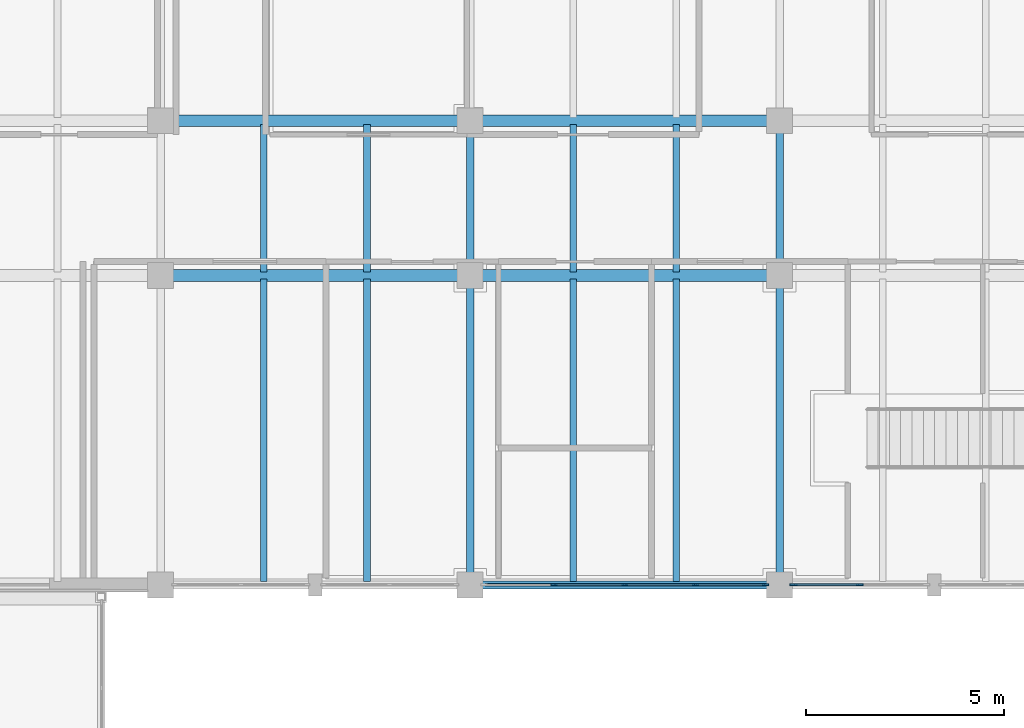
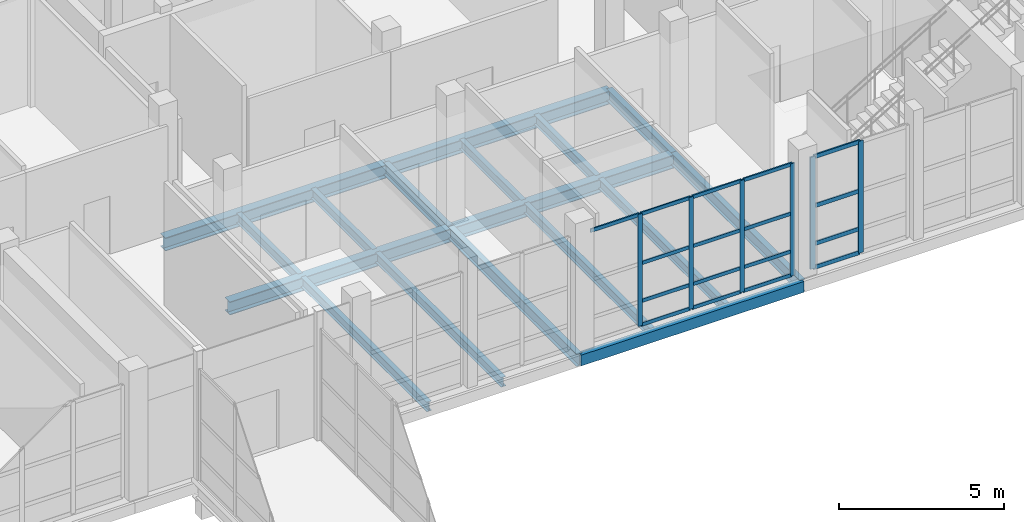
# One storey, part 54 of 131: 23 members, 17 beams, 2 elements without a shape of their own.
"""IFC4 building model written with IfcOpenShell, lengths in metres."""

from ifc_helpers import new_model, si_unit, direction, frame, origin, origin_2d, place, context, subcontext, project, spatial, rectangle, hollow_rectangle, i_section, extrude, material, layer, layer_set, material_profile, profile_set, type_object, element, aggregate, save


model = new_model("IFC4")

# Units and contexts
model_context = context("Model", 3, precision=1e-05, world=origin(), true_north=direction((0.0, 1.0)))
body_context = subcontext(model_context, "Body", "Model", "MODEL_VIEW")
ifc_project = project(units=[si_unit("LENGTHUNIT", "METRE"), si_unit("AREAUNIT", "SQUARE_METRE"), si_unit("VOLUMEUNIT", "CUBIC_METRE"), si_unit("PLANEANGLEUNIT", "RADIAN"), si_unit("MASSUNIT", "GRAM", prefix="KILO")], contexts=[model_context])

# Site, building, storey
site_placement = place(None, origin())
site = spatial("IfcSite", under=ifc_project, at=site_placement, CompositionType="ELEMENT")
building_placement = place(site_placement, origin())
building = spatial("IfcBuilding", under=site, at=building_placement, Name="Celorna Specialist Clinic", CompositionType="ELEMENT")
storey_placement = place(building_placement, origin())
storey = spatial("IfcBuildingStorey", under=building, at=storey_placement, Name="L00", CompositionType="ELEMENT", Elevation=0.0)

# Beams
ifc_material_1 = material(Name="Steel S355", Category="steel")
ifc_material_profile_1 = material_profile(ifc_material_1, i_section(OverallWidth=0.18994140625, OverallDepth=0.449951171875, WebThickness=0.009521484375, FlangeThickness=0.0146484375, at=origin_2d()), Name="IPE 450")
ifc_profile_set_1 = profile_set([ifc_material_profile_1], Name="Steel S355")
beam_type_1 = type_object("IfcBeamType", Name="BM-09", PredefinedType="BEAM", material=ifc_profile_set_1)
beam_1_placement = place(storey_placement, frame((85.800048828125, 96.5, -0.52490234375), z_axis=(0.0, 1.0, 0.0), x_axis=(-1.0, 0.0, 0.0)))
element("IfcBeam", 1, at=beam_1_placement, inside=storey, type_object=beam_type_1, Name="Transverse girder BM-09 #745", PredefinedType="BEAM", context=body_context, shape_type="SweptSolid", body=[
    extrude(i_section(OverallWidth=0.18994140625, OverallDepth=0.449951171875, WebThickness=0.009521484375, FlangeThickness=0.0146484375, at=origin_2d()), origin(), (0.0, 0.0, 1.0), 7.800048828125),
])
beam_2_placement = place(storey_placement, frame((85.800048828125, 104.300048828125, -0.52490234375), z_axis=(0.0, 1.0, 0.0), x_axis=(-1.0, 0.0, 0.0)))
element("IfcBeam", 2, at=beam_2_placement, inside=storey, type_object=beam_type_1, Name="Transverse girder BM-09 #746", PredefinedType="BEAM", context=body_context, shape_type="SweptSolid", body=[
    extrude(i_section(OverallWidth=0.18994140625, OverallDepth=0.449951171875, WebThickness=0.009521484375, FlangeThickness=0.0146484375, at=origin_2d()), origin(), (0.0, 0.0, 1.0), 3.89990234375),
])
beam_3_placement = place(storey_placement, frame((93.60009765625, 96.5, -0.52490234375), z_axis=(0.0, 1.0, 0.0), x_axis=(-1.0, 0.0, 0.0)))
element("IfcBeam", 3, at=beam_3_placement, inside=storey, type_object=beam_type_1, Name="Transverse girder BM-09 #748", PredefinedType="BEAM", context=body_context, shape_type="SweptSolid", body=[
    extrude(i_section(OverallWidth=0.18994140625, OverallDepth=0.449951171875, WebThickness=0.009521484375, FlangeThickness=0.0146484375, at=origin_2d()), origin(), (0.0, 0.0, 1.0), 7.800048828125),
])
beam_4_placement = place(storey_placement, frame((93.60009765625, 104.300048828125, -0.52490234375), z_axis=(0.0, 1.0, 0.0), x_axis=(-1.0, 0.0, 0.0)))
element("IfcBeam", 4, at=beam_4_placement, inside=storey, type_object=beam_type_1, Name="Transverse girder BM-09 #749", PredefinedType="BEAM", context=body_context, shape_type="SweptSolid", body=[
    extrude(i_section(OverallWidth=0.18994140625, OverallDepth=0.449951171875, WebThickness=0.009521484375, FlangeThickness=0.0146484375, at=origin_2d()), origin(), (0.0, 0.0, 1.0), 3.89990234375),
])
ifc_material_profile_2 = material_profile(ifc_material_1, i_section(OverallWidth=0.169921875, OverallDepth=0.360107421875, WebThickness=0.008056640625, FlangeThickness=0.0126953125, at=origin_2d()), Name="IPE 360")
ifc_profile_set_2 = profile_set([ifc_material_profile_2], Name="Steel S355")
beam_type_2 = type_object("IfcBeamType", Name="BM-11", PredefinedType="JOIST", material=ifc_profile_set_2)
for number, where, z_axis, x_axis, name in (
    (5, (80.60009765625, 96.587890625, -0.47998046875), (0.0, 1.0, 0.0), (-1.0, 0.0, 0.0), "Secondary floor joist BM-11 #803"),
    (6, (83.199951171875, 96.587890625, -0.47998046875), (0.0, 1.0, 0.0), (-1.0, 0.0, 0.0), "Secondary floor joist BM-11 #804"),
):
    element("IfcBeam", number, at=place(storey_placement, frame(where, z_axis=z_axis, x_axis=x_axis)), inside=storey, type_object=beam_type_2, Name=name, PredefinedType="JOIST", context=body_context, shape_type="SweptSolid", body=[
        extrude(i_section(OverallWidth=0.169921875, OverallDepth=0.360107421875, WebThickness=0.008056640625, FlangeThickness=0.0126953125, at=origin_2d()), origin(), (0.0, 0.0, 1.0), 7.6240234375),
    ])
for number, where, z_axis, x_axis, name in (
    (7, (80.60009765625, 104.387939453125, -0.47998046875), (0.0, 1.0, 0.0), (-1.0, 0.0, 0.0), "Secondary floor joist BM-11 #805"),
    (8, (83.199951171875, 104.387939453125, -0.47998046875), (0.0, 1.0, 0.0), (-1.0, 0.0, 0.0), "Secondary floor joist BM-11 #806"),
):
    element("IfcBeam", number, at=place(storey_placement, frame(where, z_axis=z_axis, x_axis=x_axis)), inside=storey, type_object=beam_type_2, Name=name, PredefinedType="JOIST", context=body_context, shape_type="SweptSolid", body=[
        extrude(i_section(OverallWidth=0.169921875, OverallDepth=0.360107421875, WebThickness=0.008056640625, FlangeThickness=0.0126953125, at=origin_2d()), origin(), (0.0, 0.0, 1.0), 3.72412109375),
    ])
for number, where, z_axis, x_axis, name in (
    (9, (88.39990234375, 96.587890625, -0.47998046875), (0.0, 1.0, 0.0), (-1.0, 0.0, 0.0), "Secondary floor joist BM-11 #807"),
    (10, (91.0, 96.587890625, -0.47998046875), (0.0, 1.0, 0.0), (-1.0, 0.0, 0.0), "Secondary floor joist BM-11 #808"),
):
    element("IfcBeam", number, at=place(storey_placement, frame(where, z_axis=z_axis, x_axis=x_axis)), inside=storey, type_object=beam_type_2, Name=name, PredefinedType="JOIST", context=body_context, shape_type="SweptSolid", body=[
        extrude(i_section(OverallWidth=0.169921875, OverallDepth=0.360107421875, WebThickness=0.008056640625, FlangeThickness=0.0126953125, at=origin_2d()), origin(), (0.0, 0.0, 1.0), 7.6240234375),
    ])
for number, where, z_axis, x_axis, name in (
    (11, (88.39990234375, 104.387939453125, -0.47998046875), (0.0, 1.0, 0.0), (-1.0, 0.0, 0.0), "Secondary floor joist BM-11 #809"),
    (12, (91.0, 104.387939453125, -0.47998046875), (0.0, 1.0, 0.0), (-1.0, 0.0, 0.0), "Secondary floor joist BM-11 #810"),
):
    element("IfcBeam", number, at=place(storey_placement, frame(where, z_axis=z_axis, x_axis=x_axis)), inside=storey, type_object=beam_type_2, Name=name, PredefinedType="JOIST", context=body_context, shape_type="SweptSolid", body=[
        extrude(i_section(OverallWidth=0.169921875, OverallDepth=0.360107421875, WebThickness=0.008056640625, FlangeThickness=0.0126953125, at=origin_2d()), origin(), (0.0, 0.0, 1.0), 3.72412109375),
    ])
ifc_material_profile_3 = material_profile(ifc_material_1, hollow_rectangle(XDim=0.199951171875, YDim=0.39990234375, WallThickness=0.011962890625, at=origin_2d()), Name="RHS 200x400x12")
ifc_profile_set_3 = profile_set([ifc_material_profile_3], Name="Steel S355")
beam_type_3 = type_object("IfcBeamType", Name="BM-15", PredefinedType="SPANDREL", material=ifc_profile_set_3)
beam_5_placement = place(storey_placement, frame((85.800048828125, 96.5, -0.5), z_axis=(1.0, 0.0, 0.0), x_axis=(0.0, 1.0, 0.0)))
element("IfcBeam", 13, at=beam_5_placement, inside=storey, type_object=beam_type_3, Name="Spandrel beam BM-15 #671", PredefinedType="SPANDREL", context=body_context, shape_type="SweptSolid", body=[
    extrude(hollow_rectangle(XDim=0.199951171875, YDim=0.39990234375, WallThickness=0.011962890625, at=origin_2d()), origin(), (0.0, 0.0, 1.0), 7.800048828125),
])
ifc_material_profile_4 = material_profile(ifc_material_1, i_section(OverallWidth=0.300048828125, OverallDepth=0.489990234375, WebThickness=0.011962890625, FlangeThickness=0.02294921875, at=origin_2d()), Name="HE 500 A")
ifc_profile_set_4 = profile_set([ifc_material_profile_4], Name="Steel S355")
beam_type_4 = type_object("IfcBeamType", Name="BM-22", PredefinedType="BEAM", material=ifc_profile_set_4)
for number, where, z_axis, x_axis, name in (
    (14, (78.0, 104.300048828125, -0.544921875), (1.0, 0.0, 0.0), (0.0, 1.0, 0.0), "Primary girder BM-22 #686"),
    (15, (85.800048828125, 104.300048828125, -0.544921875), (1.0, 0.0, 0.0), (0.0, 1.0, 0.0), "Primary girder BM-22 #687"),
    (16, (78.0, 108.199951171875, -0.544921875), (1.0, 0.0, 0.0), (0.0, 1.0, 0.0), "Primary girder BM-22 #702"),
    (17, (85.800048828125, 108.199951171875, -0.544921875), (1.0, 0.0, 0.0), (0.0, 1.0, 0.0), "Primary girder BM-22 #703"),
):
    element("IfcBeam", number, at=place(storey_placement, frame(where, z_axis=z_axis, x_axis=x_axis)), inside=storey, type_object=beam_type_4, Name=name, PredefinedType="BEAM", context=body_context, shape_type="SweptSolid", body=[
        extrude(i_section(OverallWidth=0.300048828125, OverallDepth=0.489990234375, WebThickness=0.011962890625, FlangeThickness=0.02294921875, at=origin_2d()), origin(), (0.0, 0.0, 1.0), 7.800048828125),
    ])

# Curtain wall, members
ifc_material_2 = material(Name="Thermally broken aluminium and solar-control glass curtain wall", Category="aluminium")
ifc_layer_1 = layer(ifc_material_2, 0.159912109375, Name="Thermally broken aluminium and solar-control glass curtain wall")
ifc_layer_set_1 = layer_set([ifc_layer_1], Name="Thermally broken aluminium and solar-control glass curtain wall")
curtain_wall_type_1 = type_object("IfcCurtainWallType", Name="CW-48", PredefinedType="NOTDEFINED", material=ifc_layer_set_1)
curtain_wall_1_placement = place(storey_placement, origin())
curtain_wall_1 = element("IfcCurtainWall", 18, at=curtain_wall_1_placement, inside=storey, type_object=curtain_wall_type_1, Name="Curtain wall CW-48 #92", PredefinedType="NOTDEFINED")
ifc_material_3 = material(Name="Anodized aluminium mullion", Category="aluminium")
ifc_material_profile_5 = material_profile(ifc_material_3, rectangle(XDim=0.050048828125, YDim=0.159912109375, at=origin_2d()), Name="ALU MULLION 50x160")
ifc_profile_set_5 = profile_set([ifc_material_profile_5], Name="Anodized aluminium mullion")
member_type_1 = type_object("IfcMemberType", Name="ML-01", PredefinedType="MULLION", material=ifc_profile_set_5)
member_1_placement = place(storey_placement, frame((93.24609375, 96.5, 0.0), z_axis=(0.0, 0.0, 1.0), x_axis=(0.0, -1.0, 0.0)))
member_1 = element("IfcMember", 19, at=member_1_placement, type_object=member_type_1, Name="CW-48 mullion 1", PredefinedType="MULLION", context=body_context, shape_type="SweptSolid", body=[
    extrude(rectangle(XDim=0.050048828125, YDim=0.159912109375, at=origin_2d()), origin(), (0.0, 0.0, 1.0), 4.139892578125),
])
member_2_placement = place(storey_placement, frame((91.485595703125, 96.5, 0.0), z_axis=(0.0, 0.0, 1.0), x_axis=(0.0, -1.0, 0.0)))
member_2 = element("IfcMember", 20, at=member_2_placement, type_object=member_type_1, Name="CW-48 mullion 2", PredefinedType="MULLION", context=body_context, shape_type="SweptSolid", body=[
    extrude(rectangle(XDim=0.050048828125, YDim=0.159912109375, at=origin_2d()), origin(), (0.0, 0.0, 1.0), 4.139892578125),
])
member_3_placement = place(storey_placement, frame((89.699951171875, 96.5, 0.0), z_axis=(0.0, 0.0, 1.0), x_axis=(0.0, -1.0, 0.0)))
member_3 = element("IfcMember", 21, at=member_3_placement, type_object=member_type_1, Name="CW-48 mullion 3", PredefinedType="MULLION", context=body_context, shape_type="SweptSolid", body=[
    extrude(rectangle(XDim=0.050048828125, YDim=0.159912109375, at=origin_2d()), origin(), (0.0, 0.0, 1.0), 4.139892578125),
])
member_4_placement = place(storey_placement, frame((87.91455078125, 96.5, 0.0), z_axis=(0.0, 0.0, 1.0), x_axis=(0.0, -1.0, 0.0)))
member_4 = element("IfcMember", 22, at=member_4_placement, type_object=member_type_1, Name="CW-48 mullion 4", PredefinedType="MULLION", context=body_context, shape_type="SweptSolid", body=[
    extrude(rectangle(XDim=0.050048828125, YDim=0.159912109375, at=origin_2d()), origin(), (0.0, 0.0, 1.0), 4.139892578125),
])

ifc_layer_2 = layer(ifc_material_2, 0.159912109375, Name="Thermally broken aluminium and solar-control glass curtain wall")
ifc_layer_set_2 = layer_set([ifc_layer_2], Name="Thermally broken aluminium and solar-control glass curtain wall")
curtain_wall_type_2 = type_object("IfcCurtainWallType", Name="CW-46", PredefinedType="NOTDEFINED", material=ifc_layer_set_2)
curtain_wall_2_placement = place(storey_placement, origin())
curtain_wall_2 = element("IfcCurtainWall", 23, at=curtain_wall_2_placement, inside=storey, type_object=curtain_wall_type_2, Name="Curtain wall CW-46 #94", PredefinedType="NOTDEFINED")
ifc_material_profile_6 = material_profile(ifc_material_3, rectangle(XDim=0.050048828125, YDim=0.179931640625, at=origin_2d()), Name="ALU MULLION 50x180")
ifc_profile_set_6 = profile_set([ifc_material_profile_6], Name="Anodized aluminium mullion")
member_type_2 = type_object("IfcMemberType", Name="ML-02", PredefinedType="MULLION", material=ifc_profile_set_6)
member_5_placement = place(storey_placement, frame((95.625, 96.5, 0.0), z_axis=(0.0, 0.0, 1.0), x_axis=(0.0, -1.0, 0.0)))
member_5 = element("IfcMember", 24, at=member_5_placement, type_object=member_type_2, Name="CW-46 mullion 2", PredefinedType="MULLION", context=body_context, shape_type="SweptSolid", body=[
    extrude(rectangle(XDim=0.050048828125, YDim=0.179931640625, at=origin_2d()), origin(), (0.0, 0.0, 1.0), 4.139892578125),
])
member_6_placement = place(storey_placement, frame((93.9541015625, 96.5, 0.0), z_axis=(0.0, 0.0, 1.0), x_axis=(0.0, -1.0, 0.0)))
member_6 = element("IfcMember", 25, at=member_6_placement, type_object=member_type_2, Name="CW-46 mullion 3", PredefinedType="MULLION", context=body_context, shape_type="SweptSolid", body=[
    extrude(rectangle(XDim=0.050048828125, YDim=0.179931640625, at=origin_2d()), origin(), (0.0, 0.0, 1.0), 4.139892578125),
])

# Member
ifc_material_4 = material(Name="Anodized aluminium transom", Category="aluminium")
ifc_material_profile_7 = material_profile(ifc_material_4, rectangle(XDim=0.050048828125, YDim=0.1298828125, at=origin_2d()), Name="ALU TRANSOM 50x130")
ifc_profile_set_7 = profile_set([ifc_material_profile_7], Name="Anodized aluminium transom")
member_type_3 = type_object("IfcMemberType", Name="TR-01", PredefinedType="USERDEFINED", material=ifc_profile_set_7)
member_7_placement = place(storey_placement, frame((93.220947265625, 96.5, 0.02490234375), z_axis=(-1.0, 0.0, 0.0), x_axis=(0.0, -1.0, 0.0)))
member_7 = element("IfcMember", 26, at=member_7_placement, type_object=member_type_3, Name="CW-48 transom 1.1", ObjectType="TRANSOM", PredefinedType="USERDEFINED", context=body_context, shape_type="SweptSolid", body=[
    extrude(rectangle(XDim=0.050048828125, YDim=0.1298828125, at=origin_2d()), origin(), (0.0, 0.0, 1.0), 1.71044921875),
])

member_8_placement = place(storey_placement, frame((93.220947265625, 96.5, 0.89990234375), z_axis=(-1.0, 0.0, 0.0), x_axis=(0.0, -1.0, 0.0)))
member_8 = element("IfcMember", 27, at=member_8_placement, type_object=member_type_3, Name="CW-48 transom 1.2", ObjectType="TRANSOM", PredefinedType="USERDEFINED", context=body_context, shape_type="SweptSolid", body=[
    extrude(rectangle(XDim=0.050048828125, YDim=0.1298828125, at=origin_2d()), origin(), (0.0, 0.0, 1.0), 1.71044921875),
])

member_9_placement = place(storey_placement, frame((93.220947265625, 96.5, 2.300048828125), z_axis=(-1.0, 0.0, 0.0), x_axis=(0.0, -1.0, 0.0)))
member_9 = element("IfcMember", 28, at=member_9_placement, type_object=member_type_3, Name="CW-48 transom 1.3", ObjectType="TRANSOM", PredefinedType="USERDEFINED", context=body_context, shape_type="SweptSolid", body=[
    extrude(rectangle(XDim=0.050048828125, YDim=0.1298828125, at=origin_2d()), origin(), (0.0, 0.0, 1.0), 1.71044921875),
])

member_10_placement = place(storey_placement, frame((93.220947265625, 96.5, 4.114990234375), z_axis=(-1.0, 0.0, 0.0), x_axis=(0.0, -1.0, 0.0)))
member_10 = element("IfcMember", 29, at=member_10_placement, type_object=member_type_3, Name="CW-48 transom 1.4", ObjectType="TRANSOM", PredefinedType="USERDEFINED", context=body_context, shape_type="SweptSolid", body=[
    extrude(rectangle(XDim=0.050048828125, YDim=0.1298828125, at=origin_2d()), origin(), (0.0, 0.0, 1.0), 1.71044921875),
])

member_11_placement = place(storey_placement, frame((91.46044921875, 96.5, 0.02490234375), z_axis=(-1.0, 0.0, 0.0), x_axis=(0.0, -1.0, 0.0)))
member_11 = element("IfcMember", 30, at=member_11_placement, type_object=member_type_3, Name="CW-48 transom 2.1", ObjectType="TRANSOM", PredefinedType="USERDEFINED", context=body_context, shape_type="SweptSolid", body=[
    extrude(rectangle(XDim=0.050048828125, YDim=0.1298828125, at=origin_2d()), origin(), (0.0, 0.0, 1.0), 1.7353515625),
])

member_12_placement = place(storey_placement, frame((91.46044921875, 96.5, 0.89990234375), z_axis=(-1.0, 0.0, 0.0), x_axis=(0.0, -1.0, 0.0)))
member_12 = element("IfcMember", 31, at=member_12_placement, type_object=member_type_3, Name="CW-48 transom 2.2", ObjectType="TRANSOM", PredefinedType="USERDEFINED", context=body_context, shape_type="SweptSolid", body=[
    extrude(rectangle(XDim=0.050048828125, YDim=0.1298828125, at=origin_2d()), origin(), (0.0, 0.0, 1.0), 1.7353515625),
])

member_13_placement = place(storey_placement, frame((91.46044921875, 96.5, 2.300048828125), z_axis=(-1.0, 0.0, 0.0), x_axis=(0.0, -1.0, 0.0)))
member_13 = element("IfcMember", 32, at=member_13_placement, type_object=member_type_3, Name="CW-48 transom 2.3", ObjectType="TRANSOM", PredefinedType="USERDEFINED", context=body_context, shape_type="SweptSolid", body=[
    extrude(rectangle(XDim=0.050048828125, YDim=0.1298828125, at=origin_2d()), origin(), (0.0, 0.0, 1.0), 1.7353515625),
])

member_14_placement = place(storey_placement, frame((91.46044921875, 96.5, 4.114990234375), z_axis=(-1.0, 0.0, 0.0), x_axis=(0.0, -1.0, 0.0)))
member_14 = element("IfcMember", 33, at=member_14_placement, type_object=member_type_3, Name="CW-48 transom 2.4", ObjectType="TRANSOM", PredefinedType="USERDEFINED", context=body_context, shape_type="SweptSolid", body=[
    extrude(rectangle(XDim=0.050048828125, YDim=0.1298828125, at=origin_2d()), origin(), (0.0, 0.0, 1.0), 1.7353515625),
])

member_15_placement = place(storey_placement, frame((89.675048828125, 96.5, 0.02490234375), z_axis=(-1.0, 0.0, 0.0), x_axis=(0.0, -1.0, 0.0)))
member_15 = element("IfcMember", 34, at=member_15_placement, type_object=member_type_3, Name="CW-48 transom 3.1", ObjectType="TRANSOM", PredefinedType="USERDEFINED", context=body_context, shape_type="SweptSolid", body=[
    extrude(rectangle(XDim=0.050048828125, YDim=0.1298828125, at=origin_2d()), origin(), (0.0, 0.0, 1.0), 1.735595703125),
])

member_16_placement = place(storey_placement, frame((89.675048828125, 96.5, 0.89990234375), z_axis=(-1.0, 0.0, 0.0), x_axis=(0.0, -1.0, 0.0)))
member_16 = element("IfcMember", 35, at=member_16_placement, type_object=member_type_3, Name="CW-48 transom 3.2", ObjectType="TRANSOM", PredefinedType="USERDEFINED", context=body_context, shape_type="SweptSolid", body=[
    extrude(rectangle(XDim=0.050048828125, YDim=0.1298828125, at=origin_2d()), origin(), (0.0, 0.0, 1.0), 1.735595703125),
])

member_17_placement = place(storey_placement, frame((89.675048828125, 96.5, 2.300048828125), z_axis=(-1.0, 0.0, 0.0), x_axis=(0.0, -1.0, 0.0)))
member_17 = element("IfcMember", 36, at=member_17_placement, type_object=member_type_3, Name="CW-48 transom 3.3", ObjectType="TRANSOM", PredefinedType="USERDEFINED", context=body_context, shape_type="SweptSolid", body=[
    extrude(rectangle(XDim=0.050048828125, YDim=0.1298828125, at=origin_2d()), origin(), (0.0, 0.0, 1.0), 1.735595703125),
])

member_18_placement = place(storey_placement, frame((89.675048828125, 96.5, 4.114990234375), z_axis=(-1.0, 0.0, 0.0), x_axis=(0.0, -1.0, 0.0)))
member_18 = element("IfcMember", 37, at=member_18_placement, type_object=member_type_3, Name="CW-48 transom 3.4", ObjectType="TRANSOM", PredefinedType="USERDEFINED", context=body_context, shape_type="SweptSolid", body=[
    extrude(rectangle(XDim=0.050048828125, YDim=0.1298828125, at=origin_2d()), origin(), (0.0, 0.0, 1.0), 1.735595703125),
])

member_19_placement = place(storey_placement, frame((87.889404296875, 96.5, 4.114990234375), z_axis=(-1.0, 0.0, 0.0), x_axis=(0.0, -1.0, 0.0)))
member_19 = element("IfcMember", 38, at=member_19_placement, type_object=member_type_3, Name="CW-48 transom 4.4", ObjectType="TRANSOM", PredefinedType="USERDEFINED", context=body_context, shape_type="SweptSolid", body=[
    extrude(rectangle(XDim=0.050048828125, YDim=0.1298828125, at=origin_2d()), origin(), (0.0, 0.0, 1.0), 1.71044921875),
])

aggregate(curtain_wall_1, [member_1, member_2, member_3, member_4, member_7, member_8, member_9, member_10, member_11, member_12, member_13, member_14, member_15, member_16, member_17, member_18, member_19])

ifc_material_profile_8 = material_profile(ifc_material_4, rectangle(XDim=0.050048828125, YDim=0.14990234375, at=origin_2d()), Name="ALU TRANSOM 50x150")
ifc_profile_set_8 = profile_set([ifc_material_profile_8], Name="Anodized aluminium transom")
member_type_4 = type_object("IfcMemberType", Name="TR-02", PredefinedType="USERDEFINED", material=ifc_profile_set_8)
member_20_placement = place(storey_placement, frame((95.60009765625, 96.5, 0.02490234375), z_axis=(-1.0, 0.0, 0.0), x_axis=(0.0, -1.0, 0.0)))
member_20 = element("IfcMember", 39, at=member_20_placement, type_object=member_type_4, Name="CW-46 transom 2.1", ObjectType="TRANSOM", PredefinedType="USERDEFINED", context=body_context, shape_type="SweptSolid", body=[
    extrude(rectangle(XDim=0.050048828125, YDim=0.14990234375, at=origin_2d()), origin(), (0.0, 0.0, 1.0), 1.62109375),
])

member_21_placement = place(storey_placement, frame((95.60009765625, 96.5, 0.89990234375), z_axis=(-1.0, 0.0, 0.0), x_axis=(0.0, -1.0, 0.0)))
member_21 = element("IfcMember", 40, at=member_21_placement, type_object=member_type_4, Name="CW-46 transom 2.2", ObjectType="TRANSOM", PredefinedType="USERDEFINED", context=body_context, shape_type="SweptSolid", body=[
    extrude(rectangle(XDim=0.050048828125, YDim=0.14990234375, at=origin_2d()), origin(), (0.0, 0.0, 1.0), 1.62109375),
])

member_22_placement = place(storey_placement, frame((95.60009765625, 96.5, 2.300048828125), z_axis=(-1.0, 0.0, 0.0), x_axis=(0.0, -1.0, 0.0)))
member_22 = element("IfcMember", 41, at=member_22_placement, type_object=member_type_4, Name="CW-46 transom 2.3", ObjectType="TRANSOM", PredefinedType="USERDEFINED", context=body_context, shape_type="SweptSolid", body=[
    extrude(rectangle(XDim=0.050048828125, YDim=0.14990234375, at=origin_2d()), origin(), (0.0, 0.0, 1.0), 1.62109375),
])

member_23_placement = place(storey_placement, frame((95.60009765625, 96.5, 4.114990234375), z_axis=(-1.0, 0.0, 0.0), x_axis=(0.0, -1.0, 0.0)))
member_23 = element("IfcMember", 42, at=member_23_placement, type_object=member_type_4, Name="CW-46 transom 2.4", ObjectType="TRANSOM", PredefinedType="USERDEFINED", context=body_context, shape_type="SweptSolid", body=[
    extrude(rectangle(XDim=0.050048828125, YDim=0.14990234375, at=origin_2d()), origin(), (0.0, 0.0, 1.0), 1.62109375),
])

aggregate(curtain_wall_2, [member_5, member_6, member_20, member_21, member_22, member_23])

save(model, "model.ifc")
